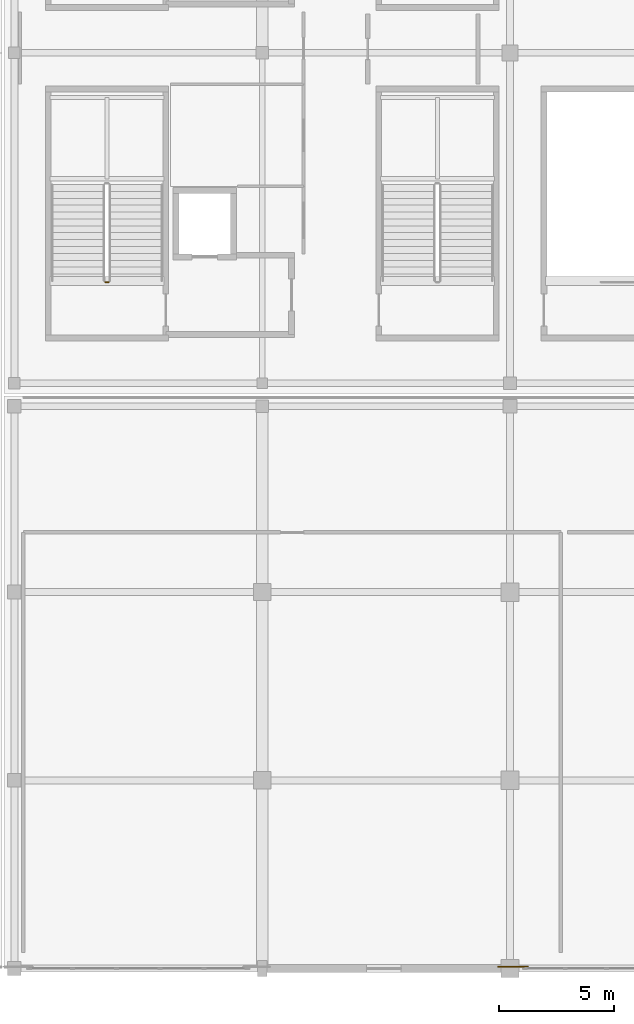
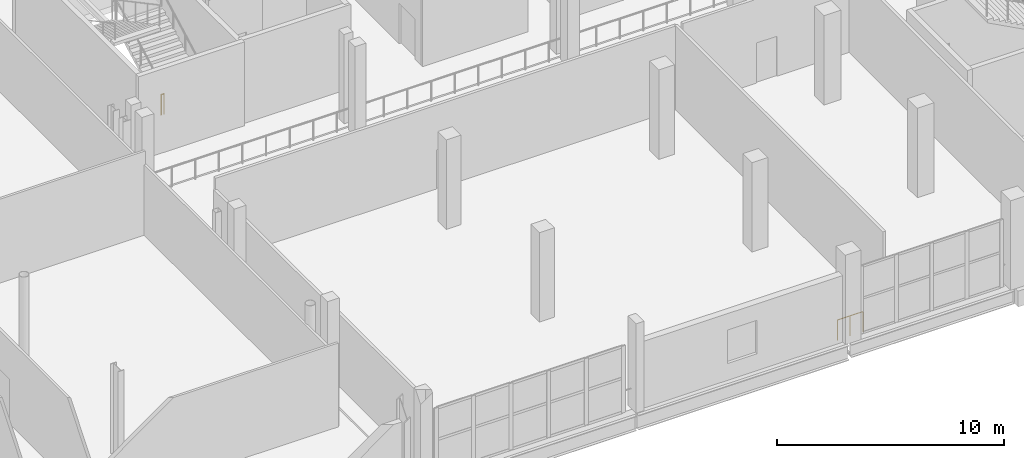
# One storey, part 93 of 129: 2 railings.
"""IFC4 building model written with IfcOpenShell, lengths in metres."""

from ifc_helpers import new_model, si_unit, direction, frame, origin, origin_2d, place, context, subcontext, project, spatial, circle, extrude, material, type_object, element, save


model = new_model("IFC4")

# Units and contexts
model_context = context("Model", 3, precision=1e-05, world=origin(), true_north=direction((0.0, 1.0)))
body_context = subcontext(model_context, "Body", "Model", "MODEL_VIEW")
ifc_project = project(units=[si_unit("LENGTHUNIT", "METRE"), si_unit("AREAUNIT", "SQUARE_METRE"), si_unit("VOLUMEUNIT", "CUBIC_METRE"), si_unit("PLANEANGLEUNIT", "RADIAN"), si_unit("MASSUNIT", "GRAM", prefix="KILO")], contexts=[model_context])

# Site, building, storey
site_placement = place(None, origin())
site = spatial("IfcSite", under=ifc_project, at=site_placement, CompositionType="ELEMENT")
building_placement = place(site_placement, origin())
building = spatial("IfcBuilding", under=site, at=building_placement, Name="Koshinbarg Plaza Stadium", CompositionType="ELEMENT")
storey_placement = place(building_placement, frame((0.0, 0.0, 5.39990234375)))
storey = spatial("IfcBuildingStorey", under=building, at=storey_placement, Name="L01", CompositionType="ELEMENT", Elevation=5.39990234375)

# Railings
ifc_material_1 = material(Name="Toughened laminated glass and stainless steel sightline balustrade", Category="steel")
railing_type_1 = type_object("IfcRailingType", Name="RL-BOWL-1100", PredefinedType="BALUSTRADE", material=ifc_material_1)
railing_1_placement = place(storey_placement, frame((46.973876953125, 0.080078125, 0.0)))
element("IfcRailing", 1, at=railing_1_placement, inside=storey, type_object=railing_type_1, Name="L01 deck edge safety balustrade 0065", PredefinedType="BALUSTRADE", context=body_context, shape_type="SweptSolid", body=[
    extrude(circle(Radius=0.02392578125, at=origin_2d()), frame((0.0, 0.0, 1.076171875), z_axis=(-1.0, 0.0, 0.0), x_axis=(0.0, -1.0, 0.0)), (0.0, 0.0, 1.0), 1.299072265625),
    extrude(circle(Radius=0.02099609375, at=origin_2d()), origin(), (0.0, 0.0, 1.0), 1.052001953125),
    extrude(circle(Radius=0.02099609375, at=origin_2d()), frame((-0.6494140625, 0.0, 0.0)), (0.0, 0.0, 1.0), 1.052001953125),
    extrude(circle(Radius=0.02099609375, at=origin_2d()), frame((-1.299072265625, 0.0, 0.0)), (0.0, 0.0, 1.0), 1.052001953125),
])
ifc_material_2 = material(Name="Galvanized painted steel guardrail", Category="steel")
railing_type_2 = type_object("IfcRailingType", Name="RL-GUARD-1100", PredefinedType="GUARDRAIL", material=ifc_material_2)
railing_2_placement = place(storey_placement, frame((28.7099609375, 29.909912109375, 0.0)))
element("IfcRailing", 2, at=railing_2_placement, inside=storey, type_object=railing_type_2, Name="L01 C01 stair guard 4", PredefinedType="GUARDRAIL", context=body_context, shape_type="SweptSolid", body=[
    extrude(circle(Radius=0.02392578125, at=origin_2d()), frame((0.0, 0.0, 1.076171875), z_axis=(-1.0, 0.0, 0.0), x_axis=(0.0, -1.0, 0.0)), (0.0, 0.0, 1.0), 0.14990234375),
    extrude(circle(Radius=0.02099609375, at=origin_2d()), origin(), (0.0, 0.0, 1.0), 1.052001953125),
    extrude(circle(Radius=0.02099609375, at=origin_2d()), frame((-0.14990234375, 0.0, 0.0)), (0.0, 0.0, 1.0), 1.052001953125),
])

save(model, "model.ifc")
